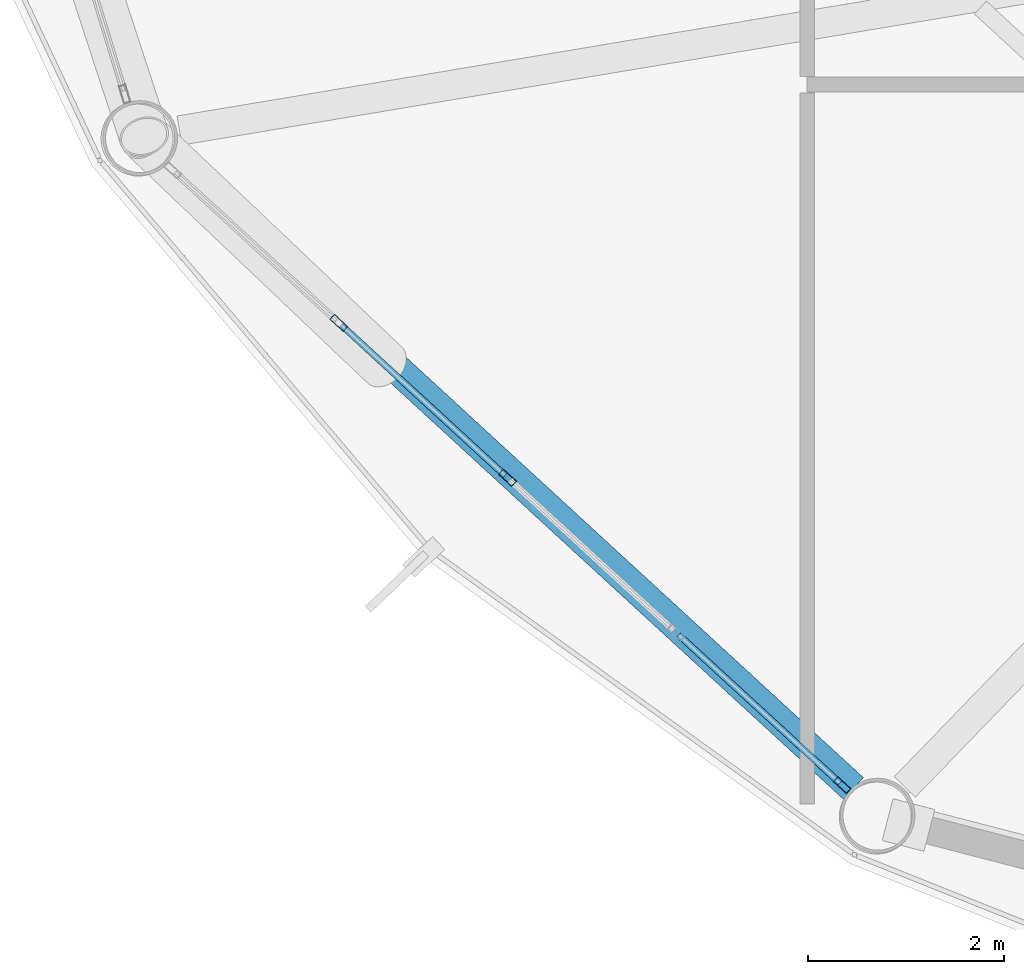
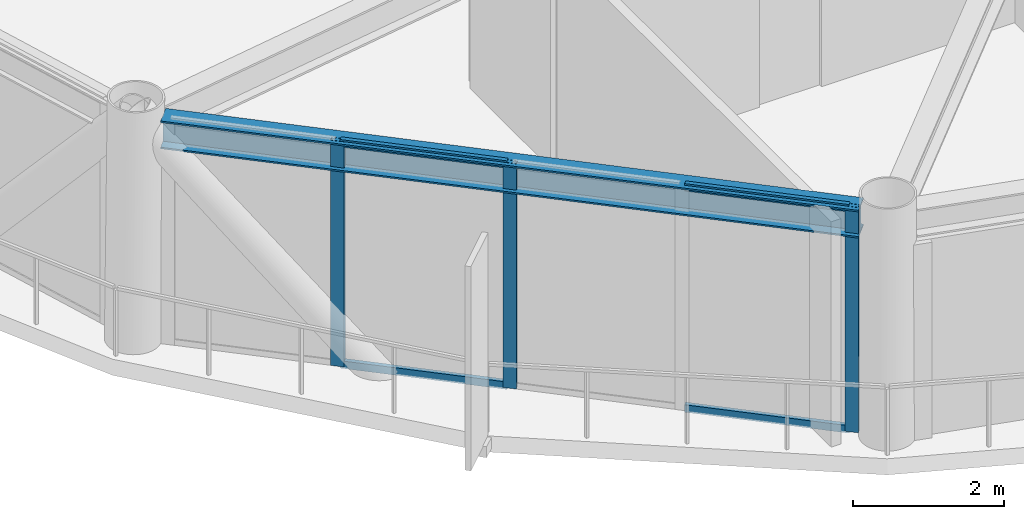
# One storey, part 2 of 26: 7 members, 1 beam, 1 element without a shape of its own.
"""IFC4 building model written with IfcOpenShell, lengths in metres."""

from ifc_helpers import new_model, si_unit, direction, frame, origin, origin_2d, place, context, subcontext, project, spatial, hollow_rectangle, i_section, extrude, material, layer, layer_set, material_profile, profile_set, type_object, element, aggregate, save


model = new_model("IFC4")

# Units and contexts
model_context = context("Model", 3, precision=1e-05, world=origin(), true_north=direction((0.0, 1.0)))
body_context = subcontext(model_context, "Body", "Model", "MODEL_VIEW")
ifc_project = project(units=[si_unit("LENGTHUNIT", "METRE"), si_unit("AREAUNIT", "SQUARE_METRE"), si_unit("VOLUMEUNIT", "CUBIC_METRE"), si_unit("PLANEANGLEUNIT", "RADIAN"), si_unit("MASSUNIT", "GRAM", prefix="KILO")], contexts=[model_context])

# Site, building, storey
site_placement = place(None, origin())
site = spatial("IfcSite", under=ifc_project, at=site_placement, CompositionType="ELEMENT")
building_placement = place(site_placement, origin())
building = spatial("IfcBuilding", under=site, at=building_placement, Name="Varnakorn Sky Granary", CompositionType="ELEMENT")
storey_placement = place(building_placement, frame((0.0, 0.0, 153.89990234375)))
storey = spatial("IfcBuildingStorey", under=building, at=storey_placement, Name="L38", CompositionType="ELEMENT", Elevation=153.89990234375)

# Beam
ifc_material_1 = material(Name="Steel S355JR", Category="steel")
ifc_material_profile_1 = material_profile(ifc_material_1, i_section(OverallWidth=0.300048828125, OverallDepth=0.449951171875, WebThickness=0.013916015625, FlangeThickness=0.02587890625, at=origin_2d()), Name="HE 450 B")
ifc_profile_set_1 = profile_set([ifc_material_profile_1], Name="Steel S355JR")
beam_type = type_object("IfcBeamType", Name="BM-SPD-Z3", PredefinedType="SPANDREL", material=ifc_profile_set_1)
beam_placement = place(storey_placement, frame((-18.9970703125, -9.6767578125, 3.4150390625), z_axis=(0.736214657164, -0.67674809093, 0.0), x_axis=(0.67674809093, 0.736214657164, 0.0)))
element("IfcBeam", 1, at=beam_placement, inside=storey, type_object=beam_type, Name="Perimeter Spandrel Ring Beam RB08 L38", PredefinedType="SPANDREL", context=body_context, shape_type="SweptSolid", body=[
    extrude(i_section(OverallWidth=0.300048828125, OverallDepth=0.449951171875, WebThickness=0.013916015625, FlangeThickness=0.02587890625, at=origin_2d()), origin(), (0.0, 0.0, 1.0), 9.46728515625),
])

# Curtain wall, members
ifc_material_2 = material(Name="Anodised Bronze Aluminium Alloy 6063-T6", Category="aluminium")
ifc_layer = layer(ifc_material_2, 0.179931640625, Name="Anodised Bronze Aluminium Alloy 6063-T6")
ifc_layer_set = layer_set([ifc_layer], Name="Anodised Bronze Aluminium Alloy 6063-T6")
curtain_wall_type = type_object("IfcCurtainWallType", Name="CW-FRM-2", PredefinedType="USERDEFINED", material=ifc_layer_set)
curtain_wall_placement = place(storey_placement, origin())
curtain_wall = element("IfcCurtainWall", 2, at=curtain_wall_placement, inside=storey, type_object=curtain_wall_type, Name="Unitised Curtain Wall CW4 CW-L38-B08", ObjectType="CURTAIN WALL", PredefinedType="USERDEFINED")
ifc_material_profile_2 = material_profile(ifc_material_2, hollow_rectangle(XDim=0.070068359375, YDim=0.18505859375, WallThickness=0.00390625, at=origin_2d()), Name="ALU MULL 70x185")
ifc_profile_set_2 = profile_set([ifc_material_profile_2], Name="Anodised Bronze Aluminium Alloy 6063-T6")
member_type_1 = type_object("IfcMemberType", Name="CW-FRM-2-MULL", PredefinedType="MULLION", material=ifc_profile_set_2)
member_1_placement = place(storey_placement, frame((-12.1416015625, -16.05029296875, 0.0), z_axis=(0.0, 0.0, 1.0), x_axis=(-0.676471797865, -0.736468537477, 0.0)))
member_1 = element("IfcMember", 3, at=member_1_placement, type_object=member_type_1, Name="CW4 mullion 1", PredefinedType="MULLION", context=body_context, shape_type="SweptSolid", body=[
    extrude(hollow_rectangle(XDim=0.070068359375, YDim=0.18505859375, WallThickness=0.00390625, at=origin_2d()), origin(), (0.0, 0.0, 1.0), 3.64013671875),
])
member_2_placement = place(storey_placement, frame((-15.557861328125, -12.912353515625, 0.0), z_axis=(0.0, 0.0, 1.0), x_axis=(-0.676471797865, -0.736468537477, 0.0)))
member_2 = element("IfcMember", 4, at=member_2_placement, type_object=member_type_1, Name="CW4 mullion 3", PredefinedType="MULLION", context=body_context, shape_type="SweptSolid", body=[
    extrude(hollow_rectangle(XDim=0.070068359375, YDim=0.18505859375, WallThickness=0.00390625, at=origin_2d()), origin(), (0.0, 0.0, 1.0), 3.64013671875),
])
member_3_placement = place(storey_placement, frame((-17.27880859375, -11.33154296875, 0.0), z_axis=(0.0, 0.0, 1.0), x_axis=(-0.676471797865, -0.736468537477, 0.0)))
member_3 = element("IfcMember", 5, at=member_3_placement, type_object=member_type_1, Name="CW4 mullion 4", PredefinedType="MULLION", context=body_context, shape_type="SweptSolid", body=[
    extrude(hollow_rectangle(XDim=0.070068359375, YDim=0.18505859375, WallThickness=0.00390625, at=origin_2d()), origin(), (0.0, 0.0, 1.0), 3.64013671875),
])
ifc_material_profile_3 = material_profile(ifc_material_2, hollow_rectangle(XDim=0.06494140625, YDim=0.1201171875, WallThickness=0.00341796875, at=origin_2d()), Name="ALU TRAN 65x120")
ifc_profile_set_3 = profile_set([ifc_material_profile_3], Name="Anodised Bronze Aluminium Alloy 6063-T6")
member_type_2 = type_object("IfcMemberType", Name="CW-FRM-2-TRAN", PredefinedType="USERDEFINED", material=ifc_profile_set_3)
member_4_placement = place(storey_placement, frame((-12.167236328125, -16.026611328125, 0.03271484375), z_axis=(-0.736495410887, 0.676442539867, 0.0), x_axis=(-0.676442539867, -0.736495410887, 0.0)))
member_4 = element("IfcMember", 6, at=member_4_placement, type_object=member_type_2, Name="CW4 transom 1.1", ObjectType="TRANSOM", PredefinedType="USERDEFINED", context=body_context, shape_type="SweptSolid", body=[
    extrude(hollow_rectangle(XDim=0.06494140625, YDim=0.1201171875, WallThickness=0.00341796875, at=origin_2d()), origin(), (0.0, 0.0, 1.0), 2.23193359375),
])
member_5_placement = place(storey_placement, frame((-12.167236328125, -16.026611328125, 3.607666015625), z_axis=(-0.736495410887, 0.676442539867, 0.0), x_axis=(-0.676442539867, -0.736495410887, 0.0)))
member_5 = element("IfcMember", 7, at=member_5_placement, type_object=member_type_2, Name="CW4 transom 1.2", ObjectType="TRANSOM", PredefinedType="USERDEFINED", context=body_context, shape_type="SweptSolid", body=[
    extrude(hollow_rectangle(XDim=0.06494140625, YDim=0.1201171875, WallThickness=0.00341796875, at=origin_2d()), origin(), (0.0, 0.0, 1.0), 2.23193359375),
])
member_6_placement = place(storey_placement, frame((-15.58349609375, -12.888671875, 0.03271484375), z_axis=(-0.736465278556, 0.676475345804, 0.0), x_axis=(-0.676475345804, -0.736465278556, 0.0)))
member_6 = element("IfcMember", 8, at=member_6_placement, type_object=member_type_2, Name="CW4 transom 3.1", ObjectType="TRANSOM", PredefinedType="USERDEFINED", context=body_context, shape_type="SweptSolid", body=[
    extrude(hollow_rectangle(XDim=0.06494140625, YDim=0.1201171875, WallThickness=0.00341796875, at=origin_2d()), origin(), (0.0, 0.0, 1.0), 2.266845703125),
])
member_7_placement = place(storey_placement, frame((-15.58349609375, -12.888671875, 3.607666015625), z_axis=(-0.736465278556, 0.676475345804, 0.0), x_axis=(-0.676475345804, -0.736465278556, 0.0)))
member_7 = element("IfcMember", 9, at=member_7_placement, type_object=member_type_2, Name="CW4 transom 3.2", ObjectType="TRANSOM", PredefinedType="USERDEFINED", context=body_context, shape_type="SweptSolid", body=[
    extrude(hollow_rectangle(XDim=0.06494140625, YDim=0.1201171875, WallThickness=0.00341796875, at=origin_2d()), origin(), (0.0, 0.0, 1.0), 2.266845703125),
])
aggregate(curtain_wall, [member_1, member_2, member_3, member_4, member_5, member_6, member_7])

save(model, "model.ifc")
